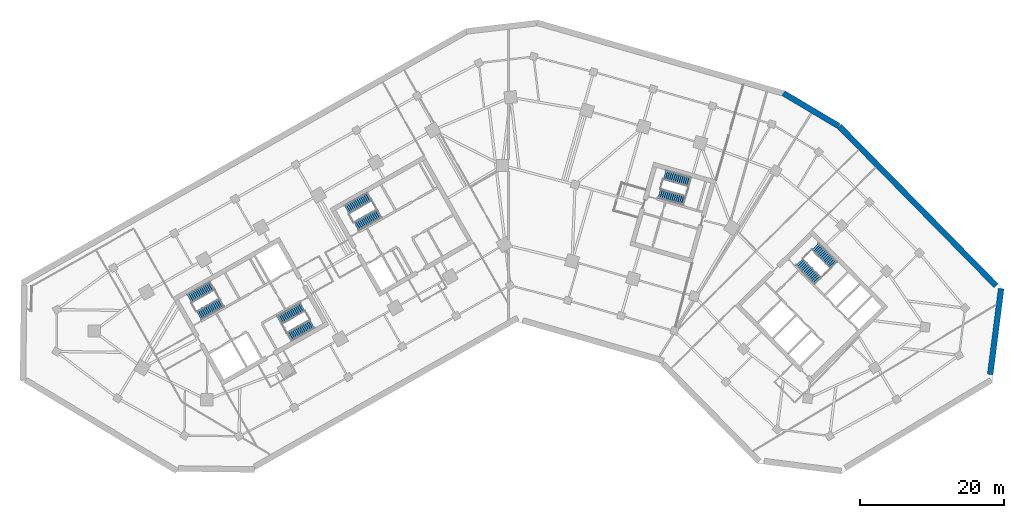
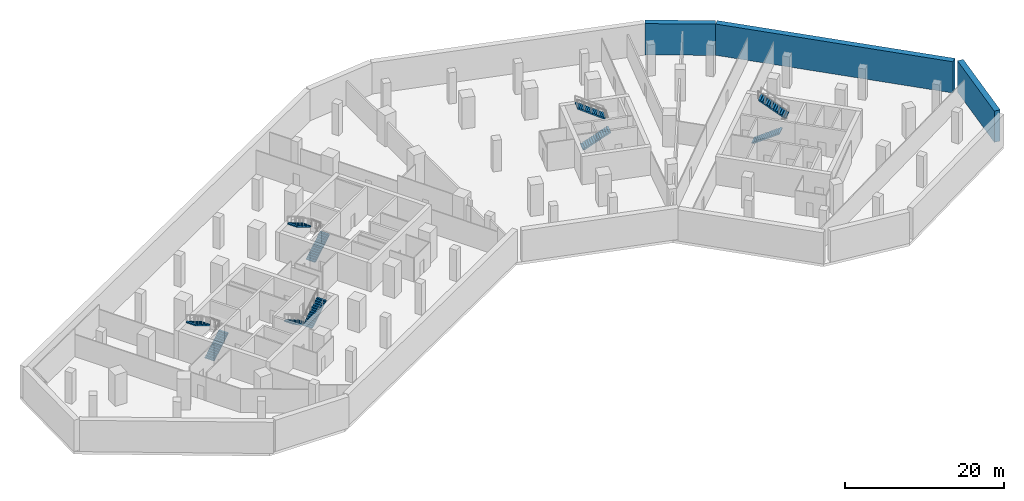
# One storey, part 11 of 13: 10 stair flights, 3 walls, 5 elements without a shape of their own.
"""IFC4 building model written with IfcOpenShell, lengths in metres."""

from ifc_helpers import new_model, si_unit, direction, frame, frame_2d, origin, place, context, subcontext, project, spatial, polyline, rectangle, outline, extrude, material, layer, layer_set, type_object, element, aggregate, save


model = new_model("IFC4")

# Units and contexts
model_context = context("Model", 3, precision=1e-05, world=origin(), true_north=direction((0.0, 1.0)))
body_context = subcontext(model_context, "Body", "Model", "MODEL_VIEW")
ifc_project = project(units=[si_unit("LENGTHUNIT", "METRE"), si_unit("AREAUNIT", "SQUARE_METRE"), si_unit("VOLUMEUNIT", "CUBIC_METRE"), si_unit("PLANEANGLEUNIT", "RADIAN"), si_unit("MASSUNIT", "GRAM", prefix="KILO")], contexts=[model_context])

# Site, building, storey
site_placement = place(None, origin())
site = spatial("IfcSite", under=ifc_project, at=site_placement, CompositionType="ELEMENT")
building_placement = place(site_placement, origin())
building = spatial("IfcBuilding", under=site, at=building_placement, Name="Binnacle Exchange Tower", CompositionType="ELEMENT")
storey_placement = place(building_placement, frame((0.0, 0.0, -4.800048828125)))
storey = spatial("IfcBuildingStorey", under=building, at=storey_placement, Name="B1", CompositionType="ELEMENT", Elevation=-4.800048828125)

# Walls
ifc_material_1 = material(Name="Concrete C40/50", Category="concrete")
ifc_layer = layer(ifc_material_1, 0.800048828125)
ifc_layer_set = layer_set([ifc_layer], Name="Basement retaining wall 800 Concrete C40/50")
wall_type = type_object("IfcWallType", Name="Basement retaining wall 800 Concrete C40/50", PredefinedType="SOLIDWALL", material=ifc_layer_set)
wall_1_placement = place(storey_placement, frame((45.810791015625, 65.474365234375, 0.0), z_axis=(0.0, 0.0, 1.0), x_axis=(-0.859404871468, 0.511295674632, 0.0)))
element("IfcWall", 1, at=wall_1_placement, inside=storey, type_object=wall_type, Name="S:RW:B1:01", PredefinedType="SOLIDWALL", context=body_context, shape_type="SweptSolid", body=[
    extrude(rectangle(XDim=8.895751953125, YDim=0.800048828125, at=frame_2d((4.44775390625, 0.0))), origin(), (0.0, 0.0, 1.0), 4.800048828125),
])
wall_2_placement = place(storey_placement, frame((66.8408203125, 30.999267578125, 0.0), z_axis=(0.0, 0.0, 1.0), x_axis=(0.126187671594, 0.992006386843, 0.0)))
element("IfcWall", 2, at=wall_2_placement, inside=storey, type_object=wall_type, Name="S:RW:B1:13", PredefinedType="SOLIDWALL", context=body_context, shape_type="SweptSolid", body=[
    extrude(rectangle(XDim=12.001220703125, YDim=0.800048828125, at=frame_2d((6.00048828125, 0.0))), origin(), (0.0, 0.0, 1.0), 4.800048828125),
])
wall_3_placement = place(storey_placement, frame((67.65478515625, 43.309326171875, 0.0), z_axis=(0.0, 0.0, 1.0), x_axis=(-0.700910545602, 0.713249190019, 0.0)))
element("IfcWall", 3, at=wall_3_placement, inside=storey, type_object=wall_type, Name="S:RW:B1:14", PredefinedType="SOLIDWALL", context=body_context, shape_type="SweptSolid", body=[
    extrude(rectangle(XDim=31.025390625, YDim=0.800048828125, at=frame_2d((15.5126953125, 0.0))), origin(), (0.0, 0.0, 1.0), 4.800048828125),
])

# Stair, stair flights
ifc_material_2 = material(Name="Concrete C35/45", Category="concrete")
stair_type = type_object("IfcStairType", Name="STAIR 28 RISERS 171", PredefinedType="HALF_TURN_STAIR", material=ifc_material_2)
stair_1_placement = place(storey_placement, origin())
stair_1 = element("IfcStair", 4, at=stair_1_placement, inside=storey, type_object=stair_type, Name="B1 Escape stair A1", PredefinedType="HALF_TURN_STAIR")
stair_flight_type = type_object("IfcStairFlightType", Name="STAIR FLIGHT 171X280", PredefinedType="STRAIGHT", material=ifc_material_2)
stair_flight_1_placement = place(storey_placement, frame((-42.9541015625, 39.17333984375, 0.0), z_axis=(0.0, 0.0, 1.0), x_axis=(0.870355584213, 0.492423757581, 0.0)))
stair_flight_1 = element("IfcStairFlight", 5, at=stair_flight_1_placement, type_object=stair_flight_type, Name="STA1 flight 1", NumberOfRisers=14, NumberOfTreads=13, PredefinedType="STRAIGHT", RiserHeight=0.171428571, TreadLength=0.28, context=body_context, shape_type="SweptSolid", body=[
    extrude(outline(polyline([(0.0, 0.0), (0.0, 0.17138671875), (0.280029296875, 0.17138671875), (0.280029296875, 0.3427734375), (0.56005859375, 0.3427734375), (0.56005859375, 0.514404296875), (0.840087890625, 0.514404296875), (0.840087890625, 0.685791015625), (1.1201171875, 0.685791015625), (1.1201171875, 0.857177734375), (1.39990234375, 0.857177734375), (1.39990234375, 1.028564453125), (1.679931640625, 1.028564453125), (1.679931640625, 1.199951171875), (1.9599609375, 1.199951171875), (1.9599609375, 1.371337890625), (2.239990234375, 1.371337890625), (2.239990234375, 1.54296875), (2.52001953125, 1.54296875), (2.52001953125, 1.71435546875), (2.800048828125, 1.71435546875), (2.800048828125, 1.8857421875), (3.080078125, 1.8857421875), (3.080078125, 2.05712890625), (3.360107421875, 2.05712890625), (3.360107421875, 2.228515625), (3.639892578125, 2.228515625), (3.639892578125, 2.39990234375), (3.639892578125, 2.052734375), (0.287109375, 0.0), (0.0, 0.0)])), frame((0.0, 0.675048828125, 0.0), z_axis=(0.0, -1.0, 0.0), x_axis=(1.0, 0.0, 0.0)), (0.0, 0.0, 1.0), 1.35009765625),
])
stair_flight_2_placement = place(storey_placement, frame((-41.115478515625, 43.315673828125, 2.400146484375), z_axis=(0.0, 0.0, 1.0), x_axis=(-0.870355584213, -0.492423757581, 0.0)))
stair_flight_2 = element("IfcStairFlight", 6, at=stair_flight_2_placement, type_object=stair_flight_type, Name="STA1 flight 2", NumberOfRisers=14, NumberOfTreads=13, PredefinedType="STRAIGHT", RiserHeight=0.171428571, TreadLength=0.28, context=body_context, shape_type="SweptSolid", body=[
    extrude(outline(polyline([(0.0, 0.0), (0.0, 0.17138671875), (0.280029296875, 0.17138671875), (0.280029296875, 0.3427734375), (0.56005859375, 0.3427734375), (0.56005859375, 0.514404296875), (0.840087890625, 0.514404296875), (0.840087890625, 0.685791015625), (1.1201171875, 0.685791015625), (1.1201171875, 0.857177734375), (1.39990234375, 0.857177734375), (1.39990234375, 1.028564453125), (1.679931640625, 1.028564453125), (1.679931640625, 1.199951171875), (1.9599609375, 1.199951171875), (1.9599609375, 1.371337890625), (2.239990234375, 1.371337890625), (2.239990234375, 1.54296875), (2.52001953125, 1.54296875), (2.52001953125, 1.71435546875), (2.800048828125, 1.71435546875), (2.800048828125, 1.8857421875), (3.080078125, 1.8857421875), (3.080078125, 2.05712890625), (3.360107421875, 2.05712890625), (3.360107421875, 2.228515625), (3.639892578125, 2.228515625), (3.639892578125, 2.39990234375), (3.639892578125, 2.052734375), (0.287109375, 0.0), (0.0, 0.0)])), frame((0.0, 0.675048828125, 0.0), z_axis=(0.0, -1.0, 0.0), x_axis=(1.0, 0.0, 0.0)), (0.0, 0.0, 1.0), 1.35009765625),
])
aggregate(stair_1, [stair_flight_1, stair_flight_2])

stair_2_placement = place(storey_placement, origin())
stair_2 = element("IfcStair", 7, at=stair_2_placement, inside=storey, type_object=stair_type, Name="B1 Escape stair A2", PredefinedType="HALF_TURN_STAIR")
stair_flight_3_placement = place(storey_placement, frame((-28.5732421875, 40.3583984375, 0.0), z_axis=(0.0, 0.0, 1.0), x_axis=(-0.870355584213, -0.492423757581, 0.0)))
stair_flight_3 = element("IfcStairFlight", 8, at=stair_flight_3_placement, type_object=stair_flight_type, Name="STA2 flight 1", NumberOfRisers=14, NumberOfTreads=13, PredefinedType="STRAIGHT", RiserHeight=0.171428571, TreadLength=0.28, context=body_context, shape_type="SweptSolid", body=[
    extrude(outline(polyline([(0.0, 0.0), (0.0, 0.17138671875), (0.280029296875, 0.17138671875), (0.280029296875, 0.3427734375), (0.56005859375, 0.3427734375), (0.56005859375, 0.514404296875), (0.840087890625, 0.514404296875), (0.840087890625, 0.685791015625), (1.1201171875, 0.685791015625), (1.1201171875, 0.857177734375), (1.39990234375, 0.857177734375), (1.39990234375, 1.028564453125), (1.679931640625, 1.028564453125), (1.679931640625, 1.199951171875), (1.9599609375, 1.199951171875), (1.9599609375, 1.371337890625), (2.239990234375, 1.371337890625), (2.239990234375, 1.54296875), (2.52001953125, 1.54296875), (2.52001953125, 1.71435546875), (2.800048828125, 1.71435546875), (2.800048828125, 1.8857421875), (3.080078125, 1.8857421875), (3.080078125, 2.05712890625), (3.360107421875, 2.05712890625), (3.360107421875, 2.228515625), (3.639892578125, 2.228515625), (3.639892578125, 2.39990234375), (3.639892578125, 2.052734375), (0.287109375, 0.0), (0.0, 0.0)])), frame((0.0, 0.675048828125, 0.0), z_axis=(0.0, -1.0, 0.0), x_axis=(1.0, 0.0, 0.0)), (0.0, 0.0, 1.0), 1.35009765625),
])
stair_flight_4_placement = place(storey_placement, frame((-30.411865234375, 36.216064453125, 2.400146484375), z_axis=(0.0, 0.0, 1.0), x_axis=(0.870355584213, 0.492423757581, 0.0)))
stair_flight_4 = element("IfcStairFlight", 9, at=stair_flight_4_placement, type_object=stair_flight_type, Name="STA2 flight 2", NumberOfRisers=14, NumberOfTreads=13, PredefinedType="STRAIGHT", RiserHeight=0.171428571, TreadLength=0.28, context=body_context, shape_type="SweptSolid", body=[
    extrude(outline(polyline([(0.0, 0.0), (0.0, 0.17138671875), (0.280029296875, 0.17138671875), (0.280029296875, 0.3427734375), (0.56005859375, 0.3427734375), (0.56005859375, 0.514404296875), (0.840087890625, 0.514404296875), (0.840087890625, 0.685791015625), (1.1201171875, 0.685791015625), (1.1201171875, 0.857177734375), (1.39990234375, 0.857177734375), (1.39990234375, 1.028564453125), (1.679931640625, 1.028564453125), (1.679931640625, 1.199951171875), (1.9599609375, 1.199951171875), (1.9599609375, 1.371337890625), (2.239990234375, 1.371337890625), (2.239990234375, 1.54296875), (2.52001953125, 1.54296875), (2.52001953125, 1.71435546875), (2.800048828125, 1.71435546875), (2.800048828125, 1.8857421875), (3.080078125, 1.8857421875), (3.080078125, 2.05712890625), (3.360107421875, 2.05712890625), (3.360107421875, 2.228515625), (3.639892578125, 2.228515625), (3.639892578125, 2.39990234375), (3.639892578125, 2.052734375), (0.287109375, 0.0), (0.0, 0.0)])), frame((0.0, 0.675048828125, 0.0), z_axis=(0.0, -1.0, 0.0), x_axis=(1.0, 0.0, 0.0)), (0.0, 0.0, 1.0), 1.35009765625),
])
aggregate(stair_2, [stair_flight_3, stair_flight_4])

stair_3_placement = place(storey_placement, origin())
stair_3 = element("IfcStair", 10, at=stair_3_placement, inside=storey, type_object=stair_type, Name="B1 Escape stair B1", PredefinedType="HALF_TURN_STAIR")
stair_flight_5_placement = place(storey_placement, frame((40.376708984375, 46.608642578125, 0.0), z_axis=(0.0, 0.0, 1.0), x_axis=(0.70090935144, -0.713250363522, 0.0)))
stair_flight_5 = element("IfcStairFlight", 11, at=stair_flight_5_placement, type_object=stair_flight_type, Name="STB1 flight 1", NumberOfRisers=14, NumberOfTreads=13, PredefinedType="STRAIGHT", RiserHeight=0.171428571, TreadLength=0.28, context=body_context, shape_type="SweptSolid", body=[
    extrude(outline(polyline([(0.0, 0.0), (0.0, 0.17138671875), (0.280029296875, 0.17138671875), (0.280029296875, 0.3427734375), (0.56005859375, 0.3427734375), (0.56005859375, 0.514404296875), (0.840087890625, 0.514404296875), (0.840087890625, 0.685791015625), (1.1201171875, 0.685791015625), (1.1201171875, 0.857177734375), (1.39990234375, 0.857177734375), (1.39990234375, 1.028564453125), (1.679931640625, 1.028564453125), (1.679931640625, 1.199951171875), (1.9599609375, 1.199951171875), (1.9599609375, 1.371337890625), (2.239990234375, 1.371337890625), (2.239990234375, 1.54296875), (2.52001953125, 1.54296875), (2.52001953125, 1.71435546875), (2.800048828125, 1.71435546875), (2.800048828125, 1.8857421875), (3.080078125, 1.8857421875), (3.080078125, 2.05712890625), (3.360107421875, 2.05712890625), (3.360107421875, 2.228515625), (3.639892578125, 2.228515625), (3.639892578125, 2.39990234375), (3.639892578125, 2.052734375), (0.287109375, 0.0), (0.0, 0.0)])), frame((0.0, 0.675048828125, 0.0), z_axis=(0.0, -1.0, 0.0), x_axis=(1.0, 0.0, 0.0)), (0.0, 0.0, 1.0), 1.35009765625),
])
stair_flight_6_placement = place(storey_placement, frame((45.13916015625, 46.185302734375, 2.400146484375), z_axis=(0.0, 0.0, 1.0), x_axis=(-0.70090935144, 0.713250363522, 0.0)))
stair_flight_6 = element("IfcStairFlight", 12, at=stair_flight_6_placement, type_object=stair_flight_type, Name="STB1 flight 2", NumberOfRisers=14, NumberOfTreads=13, PredefinedType="STRAIGHT", RiserHeight=0.171428571, TreadLength=0.28, context=body_context, shape_type="SweptSolid", body=[
    extrude(outline(polyline([(0.0, 0.0), (0.0, 0.17138671875), (0.280029296875, 0.17138671875), (0.280029296875, 0.3427734375), (0.56005859375, 0.3427734375), (0.56005859375, 0.514404296875), (0.840087890625, 0.514404296875), (0.840087890625, 0.685791015625), (1.1201171875, 0.685791015625), (1.1201171875, 0.857177734375), (1.39990234375, 0.857177734375), (1.39990234375, 1.028564453125), (1.679931640625, 1.028564453125), (1.679931640625, 1.199951171875), (1.9599609375, 1.199951171875), (1.9599609375, 1.371337890625), (2.239990234375, 1.371337890625), (2.239990234375, 1.54296875), (2.52001953125, 1.54296875), (2.52001953125, 1.71435546875), (2.800048828125, 1.71435546875), (2.800048828125, 1.8857421875), (3.080078125, 1.8857421875), (3.080078125, 2.05712890625), (3.360107421875, 2.05712890625), (3.360107421875, 2.228515625), (3.639892578125, 2.228515625), (3.639892578125, 2.39990234375), (3.639892578125, 2.052734375), (0.287109375, 0.0), (0.0, 0.0)])), frame((0.0, 0.675048828125, 0.0), z_axis=(0.0, -1.0, 0.0), x_axis=(1.0, 0.0, 0.0)), (0.0, 0.0, 1.0), 1.35009765625),
])
aggregate(stair_3, [stair_flight_5, stair_flight_6])

stair_4_placement = place(storey_placement, origin())
stair_4 = element("IfcStair", 13, at=stair_4_placement, inside=storey, type_object=stair_type, Name="B1 Escape stair C1", PredefinedType="HALF_TURN_STAIR")
stair_flight_7_placement = place(storey_placement, frame((-21.115966796875, 51.528564453125, 0.0), z_axis=(0.0, 0.0, 1.0), x_axis=(0.870355584213, 0.492423757581, 0.0)))
stair_flight_7 = element("IfcStairFlight", 14, at=stair_flight_7_placement, type_object=stair_flight_type, Name="STC1 flight 1", NumberOfRisers=14, NumberOfTreads=13, PredefinedType="STRAIGHT", RiserHeight=0.171428571, TreadLength=0.28, context=body_context, shape_type="SweptSolid", body=[
    extrude(outline(polyline([(0.0, 0.0), (0.0, 0.17138671875), (0.280029296875, 0.17138671875), (0.280029296875, 0.3427734375), (0.56005859375, 0.3427734375), (0.56005859375, 0.514404296875), (0.840087890625, 0.514404296875), (0.840087890625, 0.685791015625), (1.1201171875, 0.685791015625), (1.1201171875, 0.857177734375), (1.39990234375, 0.857177734375), (1.39990234375, 1.028564453125), (1.679931640625, 1.028564453125), (1.679931640625, 1.199951171875), (1.9599609375, 1.199951171875), (1.9599609375, 1.371337890625), (2.239990234375, 1.371337890625), (2.239990234375, 1.54296875), (2.52001953125, 1.54296875), (2.52001953125, 1.71435546875), (2.800048828125, 1.71435546875), (2.800048828125, 1.8857421875), (3.080078125, 1.8857421875), (3.080078125, 2.05712890625), (3.360107421875, 2.05712890625), (3.360107421875, 2.228515625), (3.639892578125, 2.228515625), (3.639892578125, 2.39990234375), (3.639892578125, 2.052734375), (0.287109375, 0.0), (0.0, 0.0)])), frame((0.0, 0.675048828125, 0.0), z_axis=(0.0, -1.0, 0.0), x_axis=(1.0, 0.0, 0.0)), (0.0, 0.0, 1.0), 1.35009765625),
])
stair_flight_8_placement = place(storey_placement, frame((-19.27734375, 55.671142578125, 2.400146484375), z_axis=(0.0, 0.0, 1.0), x_axis=(-0.870355584213, -0.492423757581, 0.0)))
stair_flight_8 = element("IfcStairFlight", 15, at=stair_flight_8_placement, type_object=stair_flight_type, Name="STC1 flight 2", NumberOfRisers=14, NumberOfTreads=13, PredefinedType="STRAIGHT", RiserHeight=0.171428571, TreadLength=0.28, context=body_context, shape_type="SweptSolid", body=[
    extrude(outline(polyline([(0.0, 0.0), (0.0, 0.17138671875), (0.280029296875, 0.17138671875), (0.280029296875, 0.3427734375), (0.56005859375, 0.3427734375), (0.56005859375, 0.514404296875), (0.840087890625, 0.514404296875), (0.840087890625, 0.685791015625), (1.1201171875, 0.685791015625), (1.1201171875, 0.857177734375), (1.39990234375, 0.857177734375), (1.39990234375, 1.028564453125), (1.679931640625, 1.028564453125), (1.679931640625, 1.199951171875), (1.9599609375, 1.199951171875), (1.9599609375, 1.371337890625), (2.239990234375, 1.371337890625), (2.239990234375, 1.54296875), (2.52001953125, 1.54296875), (2.52001953125, 1.71435546875), (2.800048828125, 1.71435546875), (2.800048828125, 1.8857421875), (3.080078125, 1.8857421875), (3.080078125, 2.05712890625), (3.360107421875, 2.05712890625), (3.360107421875, 2.228515625), (3.639892578125, 2.228515625), (3.639892578125, 2.39990234375), (3.639892578125, 2.052734375), (0.287109375, 0.0), (0.0, 0.0)])), frame((0.0, 0.675048828125, 0.0), z_axis=(0.0, -1.0, 0.0), x_axis=(1.0, 0.0, 0.0)), (0.0, 0.0, 1.0), 1.35009765625),
])
aggregate(stair_4, [stair_flight_7, stair_flight_8])

stair_5_placement = place(storey_placement, origin())
stair_5 = element("IfcStair", 16, at=stair_5_placement, inside=storey, type_object=stair_type, Name="B1 Escape stair D1", PredefinedType="HALF_TURN_STAIR")
stair_flight_9_placement = place(storey_placement, frame((20.914306640625, 56.109619140625, 0.0), z_axis=(0.0, 0.0, 1.0), x_axis=(0.961261811397, -0.275636953165, 0.0)))
stair_flight_9 = element("IfcStairFlight", 17, at=stair_flight_9_placement, type_object=stair_flight_type, Name="STD1 flight 1", NumberOfRisers=14, NumberOfTreads=13, PredefinedType="STRAIGHT", RiserHeight=0.171428571, TreadLength=0.28, context=body_context, shape_type="SweptSolid", body=[
    extrude(outline(polyline([(0.0, 0.0), (0.0, 0.17138671875), (0.280029296875, 0.17138671875), (0.280029296875, 0.3427734375), (0.56005859375, 0.3427734375), (0.56005859375, 0.514404296875), (0.840087890625, 0.514404296875), (0.840087890625, 0.685791015625), (1.1201171875, 0.685791015625), (1.1201171875, 0.857177734375), (1.39990234375, 0.857177734375), (1.39990234375, 1.028564453125), (1.679931640625, 1.028564453125), (1.679931640625, 1.199951171875), (1.9599609375, 1.199951171875), (1.9599609375, 1.371337890625), (2.239990234375, 1.371337890625), (2.239990234375, 1.54296875), (2.52001953125, 1.54296875), (2.52001953125, 1.71435546875), (2.800048828125, 1.71435546875), (2.800048828125, 1.8857421875), (3.080078125, 1.8857421875), (3.080078125, 2.05712890625), (3.360107421875, 2.05712890625), (3.360107421875, 2.228515625), (3.639892578125, 2.228515625), (3.639892578125, 2.39990234375), (3.639892578125, 2.052734375), (0.287109375, 0.0), (0.0, 0.0)])), frame((0.0, 0.675048828125, 0.0), z_axis=(0.0, -1.0, 0.0), x_axis=(1.0, 0.0, 0.0)), (0.0, 0.0, 1.0), 1.35009765625),
])
stair_flight_10_placement = place(storey_placement, frame((25.157470703125, 57.70166015625, 2.400146484375), z_axis=(0.0, 0.0, 1.0), x_axis=(-0.961261811397, 0.275636953165, 0.0)))
stair_flight_10 = element("IfcStairFlight", 18, at=stair_flight_10_placement, type_object=stair_flight_type, Name="STD1 flight 2", NumberOfRisers=14, NumberOfTreads=13, PredefinedType="STRAIGHT", RiserHeight=0.171428571, TreadLength=0.28, context=body_context, shape_type="SweptSolid", body=[
    extrude(outline(polyline([(0.0, 0.0), (0.0, 0.17138671875), (0.280029296875, 0.17138671875), (0.280029296875, 0.3427734375), (0.56005859375, 0.3427734375), (0.56005859375, 0.514404296875), (0.840087890625, 0.514404296875), (0.840087890625, 0.685791015625), (1.1201171875, 0.685791015625), (1.1201171875, 0.857177734375), (1.39990234375, 0.857177734375), (1.39990234375, 1.028564453125), (1.679931640625, 1.028564453125), (1.679931640625, 1.199951171875), (1.9599609375, 1.199951171875), (1.9599609375, 1.371337890625), (2.239990234375, 1.371337890625), (2.239990234375, 1.54296875), (2.52001953125, 1.54296875), (2.52001953125, 1.71435546875), (2.800048828125, 1.71435546875), (2.800048828125, 1.8857421875), (3.080078125, 1.8857421875), (3.080078125, 2.05712890625), (3.360107421875, 2.05712890625), (3.360107421875, 2.228515625), (3.639892578125, 2.228515625), (3.639892578125, 2.39990234375), (3.639892578125, 2.052734375), (0.287109375, 0.0), (0.0, 0.0)])), frame((0.0, 0.675048828125, 0.0), z_axis=(0.0, -1.0, 0.0), x_axis=(1.0, 0.0, 0.0)), (0.0, 0.0, 1.0), 1.35009765625),
])
aggregate(stair_5, [stair_flight_9, stair_flight_10])

save(model, "model.ifc")
